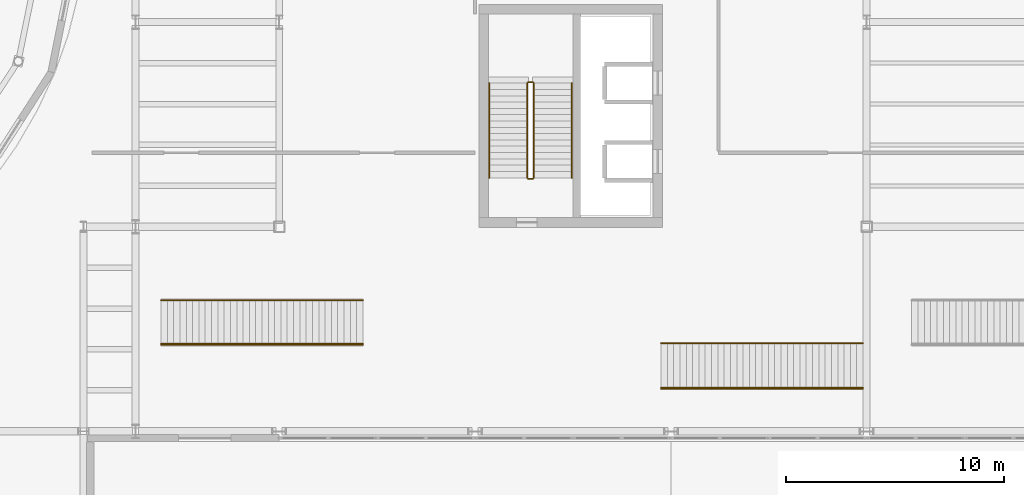
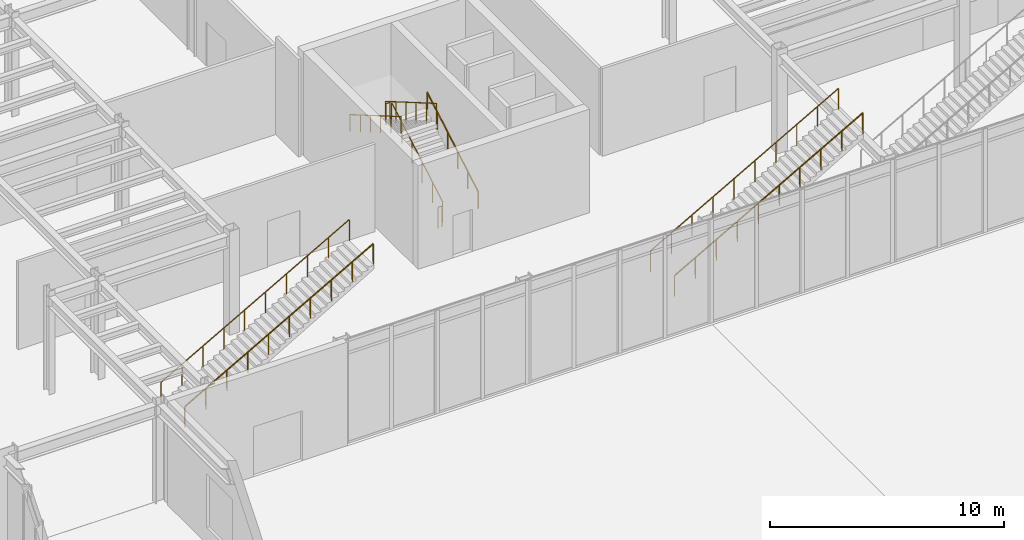
# One storey, part 91 of 94: 12 railings.
"""IFC4 building model written with IfcOpenShell, lengths in metres."""

import ifcopenshell
import ifcopenshell.guid

model = None  # the IFC model being written
_history = None  # IfcOwnerHistory: only IFC2X3 demands one
_inside = {}  # id of a spatial element -> (the spatial element, [elements in it])
_under = {}  # id of a project, library or spatial element -> (it, [spatial elements below it])
_declared = {}  # id of a project -> (the project, [libraries it declares])
_typed = {}  # id of a type object -> (the type object, [elements of that type])
_made_of = {}  # id of a material, layer set ... -> (it, [elements and type objects made of it])


def new_model(schema):
    """Start an empty IFC model of exactly this schema.

    Asked for "IFC4X3", IfcOpenShell would pick the latest addendum, in which some entities
    have other attributes; the version numbers below select the first issue.
    IFC2X3 requires an IfcOwnerHistory on every rooted entity: one is made here for all.
    """
    global model, _history
    if schema == "IFC4X3":
        model = ifcopenshell.file(schema_version=(4, 3, 0, 0))
    else:
        model = ifcopenshell.file(schema=schema)
    _inside.clear()
    _under.clear()
    _declared.clear()
    _typed.clear()
    _made_of.clear()
    _history = None
    if model.schema == "IFC2X3":
        org = make("IfcOrganization", Name="unknown")
        user = make(
            "IfcPersonAndOrganization",
            ThePerson=make("IfcPerson", FamilyName="unknown"),
            TheOrganization=org,
        )
        app = make(
            "IfcApplication",
            ApplicationDeveloper=org,
            Version="unknown",
            ApplicationFullName="unknown",
            ApplicationIdentifier="unknown",
        )
        _history = make(
            "IfcOwnerHistory",
            OwningUser=user,
            OwningApplication=app,
            ChangeAction="ADDED",
            CreationDate=0,
        )
    return model


def make(cls, **values):
    """One entity of the class cls with the attributes given. An attribute that is None is left unset."""
    return model.create_entity(
        cls, **{name: value for name, value in values.items() if value is not None}
    )


def rooted(cls, **values):
    """An entity with a GlobalId (a new one), such as an element, a storey or a relation."""
    return make(cls, GlobalId=ifcopenshell.guid.new(), OwnerHistory=_history, **values)


def si_unit(unit_type, name, prefix=None):
    """IfcSIUnit, for example si_unit("LENGTHUNIT", "METRE", prefix="MILLI")."""
    return make("IfcSIUnit", UnitType=unit_type, Prefix=prefix, Name=name)


def assignment(units):
    """IfcUnitAssignment: the units of a project."""
    return None if units is None else make("IfcUnitAssignment", Units=units)


def point(xyz):
    """IfcCartesianPoint."""
    return None if xyz is None else make("IfcCartesianPoint", Coordinates=xyz)


def direction(xyz):
    """IfcDirection."""
    return None if xyz is None else make("IfcDirection", DirectionRatios=xyz)


def frame(location, z_axis=None, x_axis=None):
    """IfcAxis2Placement3D, a coordinate frame: its origin and axes. An axis left out is left unset."""
    return make(
        "IfcAxis2Placement3D",
        Location=point(location),
        Axis=direction(z_axis),
        RefDirection=direction(x_axis),
    )


def frame_2d(location, x_axis=None):
    """IfcAxis2Placement2D, a coordinate frame in the plane: its origin and x axis."""
    return make(
        "IfcAxis2Placement2D", Location=point(location), RefDirection=direction(x_axis)
    )


def origin():
    """The frame at (0, 0, 0) with its axes left unset."""
    return frame((0.0, 0.0, 0.0))


def origin_2d():
    """The frame at (0, 0) in the plane with its x axis left unset."""
    return frame_2d((0.0, 0.0))


def place(relative_to, where):
    """IfcLocalPlacement: puts the frame where relative to a parent placement (None: the world)."""
    return make(
        "IfcLocalPlacement", PlacementRelTo=relative_to, RelativePlacement=where
    )


def context(
    kind, dimensions, precision=None, world=None, true_north=None, identifier=None
):
    """IfcGeometricRepresentationContext, for example the 3D "Model" context."""
    return make(
        "IfcGeometricRepresentationContext",
        ContextIdentifier=identifier,
        ContextType=kind,
        CoordinateSpaceDimension=dimensions,
        Precision=precision,
        WorldCoordinateSystem=world,
        TrueNorth=true_north,
    )


def subcontext(parent, identifier, kind, view, scale=None):
    """IfcGeometricRepresentationSubContext, for example "Body" below "Model"."""
    return make(
        "IfcGeometricRepresentationSubContext",
        ContextIdentifier=identifier,
        ContextType=kind,
        ParentContext=parent,
        TargetScale=scale,
        TargetView=view,
    )


def project(units=None, contexts=None):
    """IfcProject with its units and contexts."""
    return rooted(
        "IfcProject",
        Name="project",
        RepresentationContexts=contexts,
        UnitsInContext=assignment(units),
    )


def spatial(cls, under=None, at=None, **own):
    """A site, building, storey or space (cls), placed at a placement, below another one or the project."""
    s = rooted(cls, ObjectPlacement=at, **own)
    if under is not None:
        _under.setdefault(under.id(), (under, []))[1].append(s)
    return s


def profile(cls, at=None, kind="AREA", **sizes):
    """A parametric profile (cls). Its sizes go by their IFC names, for example OverallWidth=200.0."""
    return make(cls, ProfileType=kind, Position=at, **sizes)


def circle(**sizes):
    """IfcCircleProfileDef."""
    return profile("IfcCircleProfileDef", **sizes)


def extrude(swept, where, along, depth):
    """IfcExtrudedAreaSolid: the profile swept, set in the frame where, extruded along a direction by depth."""
    return make(
        "IfcExtrudedAreaSolid",
        SweptArea=swept,
        Position=where,
        ExtrudedDirection=direction(along),
        Depth=depth,
    )


def shape(context_of_items, identifier, shape_type, items):
    """IfcShapeRepresentation: the items that make up one representation, for example the "Body"."""
    return make(
        "IfcShapeRepresentation",
        ContextOfItems=context_of_items,
        RepresentationIdentifier=identifier,
        RepresentationType=shape_type,
        Items=items,
    )


def material(Name=None, Category=None):
    """IfcMaterial."""
    return make("IfcMaterial", Name=Name, Category=Category)


def made_of(thing, what):
    """Note that an element or type object is made of a material, layer set ...; save() writes the relation."""
    if what is not None:
        _made_of.setdefault(what.id(), (what, []))[1].append(thing)
    return thing


def type_object(cls, material=None, **own):
    """A type object (cls), such as IfcWallType, which elements share."""
    return made_of(rooted(cls, **own), material)


def element(
    cls,
    number,
    at=None,
    inside=None,
    cuts=None,
    type_object=None,
    material=None,
    context=None,
    identifier="Body",
    shape_type=None,
    held_by="IfcProductDefinitionShape",
    body=None,
    shapes=None,
    **own,
):
    """One element of the class cls, such as IfcWall. Its Tag is "e" and its number.

    at: its placement. inside: the storey or other place that contains it. cuts: it is an
    opening in that element (IfcRelVoidsElement). A single representation is given by context,
    identifier, shape_type and body (its items); several are given by shapes. held_by: the class
    of the entity that holds the representations. save() writes the other relations.
    """
    e = rooted(cls, Tag="e%d" % number, ObjectPlacement=at, **own)
    if body is not None:
        shapes = [shape(context, identifier, shape_type, body)]
    if shapes is not None:
        e.Representation = make(held_by, Representations=shapes)
    if inside is not None:
        _inside.setdefault(inside.id(), (inside, []))[1].append(e)
    if cuts is not None:
        rooted(
            "IfcRelVoidsElement", RelatingBuildingElement=cuts, RelatedOpeningElement=e
        )
    if type_object is not None:
        _typed.setdefault(type_object.id(), (type_object, []))[1].append(e)
    return made_of(e, material)


def aggregate(whole, parts):
    """IfcRelAggregates: a whole, such as a stair, and the parts it consists of."""
    return rooted("IfcRelAggregates", RelatingObject=whole, RelatedObjects=parts)


def save(model, path):
    """Write the relations noted so far, then the file.

    IfcRelAggregates (storeys below a building ...), IfcRelContainedInSpatialStructure (elements
    in a storey), IfcRelDefinesByType, IfcRelAssociatesMaterial and IfcRelDeclares: one each for
    every whole, place, type object, material and project.
    """
    for whole, parts in _under.values():
        aggregate(whole, parts)
    for where, things in _inside.values():
        rooted(
            "IfcRelContainedInSpatialStructure",
            RelatedElements=things,
            RelatingStructure=where,
        )
    for kind, things in _typed.values():
        rooted("IfcRelDefinesByType", RelatedObjects=things, RelatingType=kind)
    for what, things in _made_of.values():
        rooted("IfcRelAssociatesMaterial", RelatedObjects=things, RelatingMaterial=what)
    for by, libraries in _declared.values():
        rooted("IfcRelDeclares", RelatingContext=by, RelatedDefinitions=libraries)
    model.write(path)


model = new_model("IFC4")

# Units and contexts
model_context = context("Model", 3, precision=1e-05, world=origin(), true_north=direction((0.0, 1.0)))
body_context = subcontext(model_context, "Body", "Model", "MODEL_VIEW")
ifc_project = project(units=[si_unit("LENGTHUNIT", "METRE"), si_unit("AREAUNIT", "SQUARE_METRE"), si_unit("VOLUMEUNIT", "CUBIC_METRE"), si_unit("PLANEANGLEUNIT", "RADIAN"), si_unit("MASSUNIT", "GRAM", prefix="KILO")], contexts=[model_context])

# Site, building, storey
site_placement = place(None, origin())
site = spatial("IfcSite", under=ifc_project, at=site_placement, CompositionType="ELEMENT")
building_placement = place(site_placement, origin())
building = spatial("IfcBuilding", under=site, at=building_placement, Name="Sollismere Congress Hotel", CompositionType="ELEMENT")
storey_placement = place(building_placement, origin())
storey = spatial("IfcBuildingStorey", under=building, at=storey_placement, Name="L00", CompositionType="ELEMENT", Elevation=0.0)

# Railings
ifc_material_1 = material(Name="Steel ASTM A500 Grade C", Category="steel")
railing_type_1 = type_object("IfcRailingType", Name="RL-GRD112", PredefinedType="GUARDRAIL", material=ifc_material_1)
railing_1_placement = place(storey_placement, frame((78.699951171875, 78.449951171875, 0.168701171875)))
element("IfcRailing", 1, at=railing_1_placement, inside=storey, type_object=railing_type_1, Name="RLG-RG-ST-04-L00-1", PredefinedType="GUARDRAIL", context=body_context, shape_type="SweptSolid", body=[
    extrude(circle(Radius=0.02392578125, at=origin_2d()), frame((0.0, 0.0, 1.09619140625), z_axis=(0.0, 0.864323800911, 0.50293574856), x_axis=(-1.0, 0.0, 0.0)), (0.0, 0.0, 1.0), 5.032958984375),
    extrude(circle(Radius=0.02099609375, at=origin_2d()), origin(), (0.0, 0.0, 1.0), 1.072021484375),
    extrude(circle(Radius=0.02099609375, at=origin_2d()), frame((0.0, 0.8701171875, 0.50634765625)), (0.0, 0.0, 1.0), 1.072021484375),
    extrude(circle(Radius=0.02099609375, at=origin_2d()), frame((0.0, 1.739990234375, 1.012451171875)), (0.0, 0.0, 1.0), 1.072021484375),
    extrude(circle(Radius=0.02099609375, at=origin_2d()), frame((0.0, 2.610107421875, 1.518798828125)), (0.0, 0.0, 1.0), 1.072021484375),
    extrude(circle(Radius=0.02099609375, at=origin_2d()), frame((0.0, 3.47998046875, 2.02490234375)), (0.0, 0.0, 1.0), 1.072021484375),
    extrude(circle(Radius=0.02099609375, at=origin_2d()), frame((0.0, 4.35009765625, 2.53125)), (0.0, 0.0, 1.0), 1.072021484375),
])
railing_2_placement = place(storey_placement, frame((78.64990234375, 82.85009765625, 2.699951171875)))
element("IfcRailing", 2, at=railing_2_placement, inside=storey, type_object=railing_type_1, Name="RLG-RG-ST-04-L00-2", PredefinedType="GUARDRAIL", context=body_context, shape_type="SweptSolid", body=[
    extrude(circle(Radius=0.02392578125, at=origin_2d()), frame((0.0, 0.0, 1.09619140625), z_axis=(-1.0, 0.0, 0.0), x_axis=(0.0, -1.0, 0.0)), (0.0, 0.0, 1.0), 0.199951171875),
    extrude(circle(Radius=0.02099609375, at=origin_2d()), origin(), (0.0, 0.0, 1.0), 1.072021484375),
    extrude(circle(Radius=0.02099609375, at=origin_2d()), frame((-0.199951171875, 0.0, 0.0)), (0.0, 0.0, 1.0), 1.072021484375),
])
railing_3_placement = place(storey_placement, frame((78.39990234375, 82.800048828125, 2.86865234375)))
element("IfcRailing", 3, at=railing_3_placement, inside=storey, type_object=railing_type_1, Name="RLG-RG-ST-04-L00-3", PredefinedType="GUARDRAIL", context=body_context, shape_type="SweptSolid", body=[
    extrude(circle(Radius=0.02392578125, at=origin_2d()), frame((0.0, 0.0, 1.09619140625), z_axis=(0.0, -0.864323800911, 0.50293574856), x_axis=(1.0, 0.0, 0.0)), (0.0, 0.0, 1.0), 5.032958984375),
    extrude(circle(Radius=0.02099609375, at=origin_2d()), origin(), (0.0, 0.0, 1.0), 1.072021484375),
    extrude(circle(Radius=0.02099609375, at=origin_2d()), frame((0.0, -0.8701171875, 0.50634765625)), (0.0, 0.0, 1.0), 1.072021484375),
    extrude(circle(Radius=0.02099609375, at=origin_2d()), frame((0.0, -1.739990234375, 1.012451171875)), (0.0, 0.0, 1.0), 1.072021484375),
    extrude(circle(Radius=0.02099609375, at=origin_2d()), frame((0.0, -2.610107421875, 1.518798828125)), (0.0, 0.0, 1.0), 1.072021484375),
    extrude(circle(Radius=0.02099609375, at=origin_2d()), frame((0.0, -3.47998046875, 2.02490234375)), (0.0, 0.0, 1.0), 1.072021484375),
    extrude(circle(Radius=0.02099609375, at=origin_2d()), frame((0.0, -4.35009765625, 2.53125)), (0.0, 0.0, 1.0), 1.072021484375),
])
railing_4_placement = place(storey_placement, frame((78.64990234375, 78.39990234375, 0.0)))
element("IfcRailing", 4, at=railing_4_placement, inside=storey, type_object=railing_type_1, Name="RLG-RG-ST-04-L00-4", PredefinedType="GUARDRAIL", context=body_context, shape_type="SweptSolid", body=[
    extrude(circle(Radius=0.02392578125, at=origin_2d()), frame((0.0, 0.0, 1.09619140625), z_axis=(-1.0, 0.0, 0.0), x_axis=(0.0, -1.0, 0.0)), (0.0, 0.0, 1.0), 0.199951171875),
    extrude(circle(Radius=0.02099609375, at=origin_2d()), origin(), (0.0, 0.0, 1.0), 1.072021484375),
    extrude(circle(Radius=0.02099609375, at=origin_2d()), frame((-0.199951171875, 0.0, 0.0)), (0.0, 0.0, 1.0), 1.072021484375),
])
for number, where, name in (
    (5, (61.570068359375, 70.77490234375, 0.169921875), "RLG-RG-ST-07-A"),
    (6, (61.570068359375, 72.824951171875, 0.169921875), "RLG-RG-ST-07-B"),
    (7, (84.550048828125, 68.760009765625, 0.169921875), "RLG-RG-ST-11-A"),
    (8, (84.550048828125, 70.840087890625, 0.169921875), "RLG-RG-ST-11-B"),
):
    element("IfcRailing", number, at=place(storey_placement, frame(where)), inside=storey, type_object=railing_type_1, Name=name, PredefinedType="GUARDRAIL", context=body_context, shape_type="SweptSolid", body=[
        extrude(circle(Radius=0.02392578125, at=origin_2d()), frame((0.0, 0.0, 1.09619140625), z_axis=(0.871175558498, 0.0, 0.490971634899), x_axis=(0.0, 1.0, 0.0)), (0.0, 0.0, 1.0), 10.65234375),
        extrude(circle(Radius=0.02099609375, at=origin_2d()), origin(), (0.0, 0.0, 1.0), 1.072021484375),
        extrude(circle(Radius=0.02099609375, at=origin_2d()), frame((1.031005859375, 0.0, 0.5810546875)), (0.0, 0.0, 1.0), 1.072021484375),
        extrude(circle(Radius=0.02099609375, at=origin_2d()), frame((2.062255859375, 0.0, 1.162109375)), (0.0, 0.0, 1.0), 1.072021484375),
        extrude(circle(Radius=0.02099609375, at=origin_2d()), frame((3.09326171875, 0.0, 1.743408203125)), (0.0, 0.0, 1.0), 1.072021484375),
        extrude(circle(Radius=0.02099609375, at=origin_2d()), frame((4.12451171875, 0.0, 2.324462890625)), (0.0, 0.0, 1.0), 1.072021484375),
        extrude(circle(Radius=0.02099609375, at=origin_2d()), frame((5.155517578125, 0.0, 2.905517578125)), (0.0, 0.0, 1.0), 1.072021484375),
        extrude(circle(Radius=0.02099609375, at=origin_2d()), frame((6.186767578125, 0.0, 3.486572265625)), (0.0, 0.0, 1.0), 1.072021484375),
        extrude(circle(Radius=0.02099609375, at=origin_2d()), frame((7.2177734375, 0.0, 4.06787109375)), (0.0, 0.0, 1.0), 1.072021484375),
        extrude(circle(Radius=0.02099609375, at=origin_2d()), frame((8.2490234375, 0.0, 4.64892578125)), (0.0, 0.0, 1.0), 1.072021484375),
        extrude(circle(Radius=0.02099609375, at=origin_2d()), frame((9.280029296875, 0.0, 5.22998046875)), (0.0, 0.0, 1.0), 1.072021484375),
    ])
ifc_material_2 = material(Name="Brushed Architectural Bronze")
railing_type_2 = type_object("IfcRailingType", Name="RL-HND90", PredefinedType="HANDRAIL", material=ifc_material_2)
railing_5_placement = place(storey_placement, frame((80.449951171875, 78.449951171875, 0.3134765625)))
element("IfcRailing", 9, at=railing_5_placement, inside=storey, type_object=railing_type_2, Name="RLG-RH-ST-04-L00-1", PredefinedType="HANDRAIL", context=body_context, shape_type="SweptSolid", body=[
    extrude(circle(Radius=0.02392578125, at=origin_2d()), frame((0.0, 0.0, 0.8759765625), z_axis=(0.0, 0.864323800911, 0.50293574856), x_axis=(-1.0, 0.0, 0.0)), (0.0, 0.0, 1.0), 5.032958984375),
    extrude(circle(Radius=0.02099609375, at=origin_2d()), origin(), (0.0, 0.0, 1.0), 0.851806640625),
    extrude(circle(Radius=0.02099609375, at=origin_2d()), frame((0.0, 0.8701171875, 0.50634765625)), (0.0, 0.0, 1.0), 0.851806640625),
    extrude(circle(Radius=0.02099609375, at=origin_2d()), frame((0.0, 1.739990234375, 1.012451171875)), (0.0, 0.0, 1.0), 0.851806640625),
    extrude(circle(Radius=0.02099609375, at=origin_2d()), frame((0.0, 2.610107421875, 1.518798828125)), (0.0, 0.0, 1.0), 0.851806640625),
    extrude(circle(Radius=0.02099609375, at=origin_2d()), frame((0.0, 3.47998046875, 2.02490234375)), (0.0, 0.0, 1.0), 0.851806640625),
    extrude(circle(Radius=0.02099609375, at=origin_2d()), frame((0.0, 4.35009765625, 2.53125)), (0.0, 0.0, 1.0), 0.851806640625),
])
railing_6_placement = place(storey_placement, frame((76.64990234375, 82.800048828125, 3.013427734375)))
element("IfcRailing", 10, at=railing_6_placement, inside=storey, type_object=railing_type_2, Name="RLG-RH-ST-04-L00-2", PredefinedType="HANDRAIL", context=body_context, shape_type="SweptSolid", body=[
    extrude(circle(Radius=0.02392578125, at=origin_2d()), frame((0.0, 0.0, 0.8759765625), z_axis=(0.0, -0.864323800911, 0.50293574856), x_axis=(1.0, 0.0, 0.0)), (0.0, 0.0, 1.0), 5.032958984375),
    extrude(circle(Radius=0.02099609375, at=origin_2d()), origin(), (0.0, 0.0, 1.0), 0.851806640625),
    extrude(circle(Radius=0.02099609375, at=origin_2d()), frame((0.0, -0.8701171875, 0.50634765625)), (0.0, 0.0, 1.0), 0.851806640625),
    extrude(circle(Radius=0.02099609375, at=origin_2d()), frame((0.0, -1.739990234375, 1.012451171875)), (0.0, 0.0, 1.0), 0.851806640625),
    extrude(circle(Radius=0.02099609375, at=origin_2d()), frame((0.0, -2.610107421875, 1.518798828125)), (0.0, 0.0, 1.0), 0.851806640625),
    extrude(circle(Radius=0.02099609375, at=origin_2d()), frame((0.0, -3.47998046875, 2.02490234375)), (0.0, 0.0, 1.0), 0.851806640625),
    extrude(circle(Radius=0.02099609375, at=origin_2d()), frame((0.0, -4.35009765625, 2.53125)), (0.0, 0.0, 1.0), 0.851806640625),
])
for number, where, name in (
    (11, (61.570068359375, 70.81494140625, 0.3134765625), "RLG-RH-ST-07"),
    (12, (84.550048828125, 68.800048828125, 0.3134765625), "RLG-RH-ST-11"),
):
    element("IfcRailing", number, at=place(storey_placement, frame(where)), inside=storey, type_object=railing_type_2, Name=name, PredefinedType="HANDRAIL", context=body_context, shape_type="SweptSolid", body=[
        extrude(circle(Radius=0.02392578125, at=origin_2d()), frame((0.0, 0.0, 0.8759765625), z_axis=(0.871116738291, 0.0, 0.491075990321), x_axis=(0.0, 1.0, 0.0)), (0.0, 0.0, 1.0), 10.653076171875),
        extrude(circle(Radius=0.02099609375, at=origin_2d()), origin(), (0.0, 0.0, 1.0), 0.851806640625),
        extrude(circle(Radius=0.02099609375, at=origin_2d()), frame((1.031005859375, 0.0, 0.581298828125)), (0.0, 0.0, 1.0), 0.851806640625),
        extrude(circle(Radius=0.02099609375, at=origin_2d()), frame((2.062255859375, 0.0, 1.16259765625)), (0.0, 0.0, 1.0), 0.851806640625),
        extrude(circle(Radius=0.02099609375, at=origin_2d()), frame((3.09326171875, 0.0, 1.743896484375)), (0.0, 0.0, 1.0), 0.851806640625),
        extrude(circle(Radius=0.02099609375, at=origin_2d()), frame((4.12451171875, 0.0, 2.3251953125)), (0.0, 0.0, 1.0), 0.851806640625),
        extrude(circle(Radius=0.02099609375, at=origin_2d()), frame((5.155517578125, 0.0, 2.90625)), (0.0, 0.0, 1.0), 0.851806640625),
        extrude(circle(Radius=0.02099609375, at=origin_2d()), frame((6.186767578125, 0.0, 3.487548828125)), (0.0, 0.0, 1.0), 0.851806640625),
        extrude(circle(Radius=0.02099609375, at=origin_2d()), frame((7.2177734375, 0.0, 4.06884765625)), (0.0, 0.0, 1.0), 0.851806640625),
        extrude(circle(Radius=0.02099609375, at=origin_2d()), frame((8.2490234375, 0.0, 4.650146484375)), (0.0, 0.0, 1.0), 0.851806640625),
        extrude(circle(Radius=0.02099609375, at=origin_2d()), frame((9.280029296875, 0.0, 5.2314453125)), (0.0, 0.0, 1.0), 0.851806640625),
    ])

save(model, "model.ifc")
